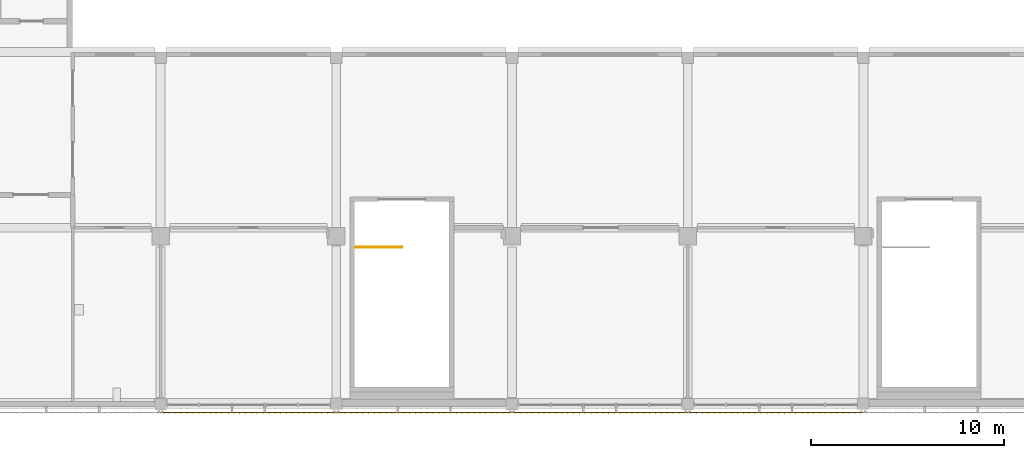
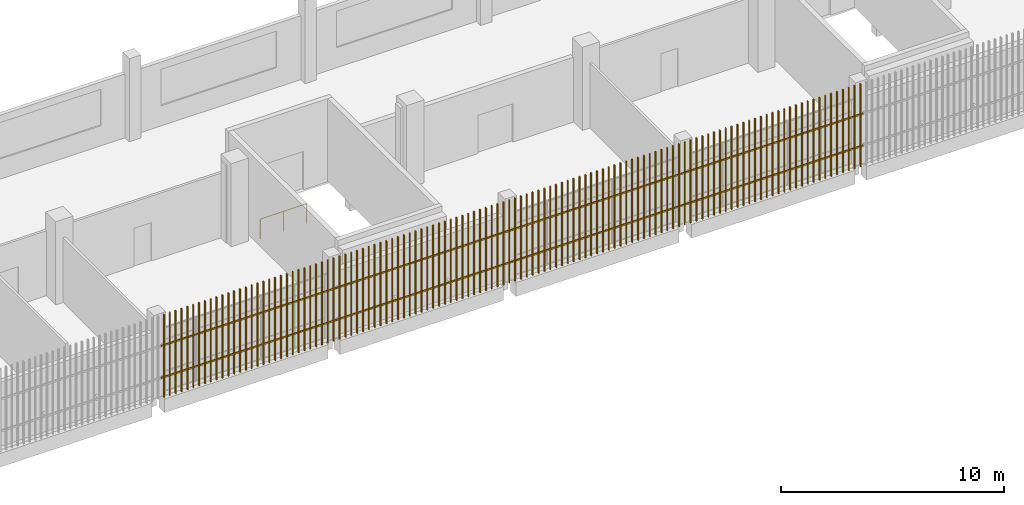
# One storey, part 90 of 104: 4 shading devices, 1 railing.
"""IFC4 building model written with IfcOpenShell, lengths in metres."""

import ifcopenshell
import ifcopenshell.guid

model = None  # the IFC model being written
_history = None  # IfcOwnerHistory: only IFC2X3 demands one
_inside = {}  # id of a spatial element -> (the spatial element, [elements in it])
_under = {}  # id of a project, library or spatial element -> (it, [spatial elements below it])
_declared = {}  # id of a project -> (the project, [libraries it declares])
_typed = {}  # id of a type object -> (the type object, [elements of that type])
_made_of = {}  # id of a material, layer set ... -> (it, [elements and type objects made of it])


def new_model(schema):
    """Start an empty IFC model of exactly this schema.

    Asked for "IFC4X3", IfcOpenShell would pick the latest addendum, in which some entities
    have other attributes; the version numbers below select the first issue.
    IFC2X3 requires an IfcOwnerHistory on every rooted entity: one is made here for all.
    """
    global model, _history
    if schema == "IFC4X3":
        model = ifcopenshell.file(schema_version=(4, 3, 0, 0))
    else:
        model = ifcopenshell.file(schema=schema)
    _inside.clear()
    _under.clear()
    _declared.clear()
    _typed.clear()
    _made_of.clear()
    _history = None
    if model.schema == "IFC2X3":
        org = make("IfcOrganization", Name="unknown")
        user = make(
            "IfcPersonAndOrganization",
            ThePerson=make("IfcPerson", FamilyName="unknown"),
            TheOrganization=org,
        )
        app = make(
            "IfcApplication",
            ApplicationDeveloper=org,
            Version="unknown",
            ApplicationFullName="unknown",
            ApplicationIdentifier="unknown",
        )
        _history = make(
            "IfcOwnerHistory",
            OwningUser=user,
            OwningApplication=app,
            ChangeAction="ADDED",
            CreationDate=0,
        )
    return model


def make(cls, **values):
    """One entity of the class cls with the attributes given. An attribute that is None is left unset."""
    return model.create_entity(
        cls, **{name: value for name, value in values.items() if value is not None}
    )


def rooted(cls, **values):
    """An entity with a GlobalId (a new one), such as an element, a storey or a relation."""
    return make(cls, GlobalId=ifcopenshell.guid.new(), OwnerHistory=_history, **values)


def si_unit(unit_type, name, prefix=None):
    """IfcSIUnit, for example si_unit("LENGTHUNIT", "METRE", prefix="MILLI")."""
    return make("IfcSIUnit", UnitType=unit_type, Prefix=prefix, Name=name)


def assignment(units):
    """IfcUnitAssignment: the units of a project."""
    return None if units is None else make("IfcUnitAssignment", Units=units)


def point(xyz):
    """IfcCartesianPoint."""
    return None if xyz is None else make("IfcCartesianPoint", Coordinates=xyz)


def direction(xyz):
    """IfcDirection."""
    return None if xyz is None else make("IfcDirection", DirectionRatios=xyz)


def frame(location, z_axis=None, x_axis=None):
    """IfcAxis2Placement3D, a coordinate frame: its origin and axes. An axis left out is left unset."""
    return make(
        "IfcAxis2Placement3D",
        Location=point(location),
        Axis=direction(z_axis),
        RefDirection=direction(x_axis),
    )


def frame_2d(location, x_axis=None):
    """IfcAxis2Placement2D, a coordinate frame in the plane: its origin and x axis."""
    return make(
        "IfcAxis2Placement2D", Location=point(location), RefDirection=direction(x_axis)
    )


def origin():
    """The frame at (0, 0, 0) with its axes left unset."""
    return frame((0.0, 0.0, 0.0))


def origin_2d():
    """The frame at (0, 0) in the plane with its x axis left unset."""
    return frame_2d((0.0, 0.0))


def place(relative_to, where):
    """IfcLocalPlacement: puts the frame where relative to a parent placement (None: the world)."""
    return make(
        "IfcLocalPlacement", PlacementRelTo=relative_to, RelativePlacement=where
    )


def context(
    kind, dimensions, precision=None, world=None, true_north=None, identifier=None
):
    """IfcGeometricRepresentationContext, for example the 3D "Model" context."""
    return make(
        "IfcGeometricRepresentationContext",
        ContextIdentifier=identifier,
        ContextType=kind,
        CoordinateSpaceDimension=dimensions,
        Precision=precision,
        WorldCoordinateSystem=world,
        TrueNorth=true_north,
    )


def subcontext(parent, identifier, kind, view, scale=None):
    """IfcGeometricRepresentationSubContext, for example "Body" below "Model"."""
    return make(
        "IfcGeometricRepresentationSubContext",
        ContextIdentifier=identifier,
        ContextType=kind,
        ParentContext=parent,
        TargetScale=scale,
        TargetView=view,
    )


def project(units=None, contexts=None):
    """IfcProject with its units and contexts."""
    return rooted(
        "IfcProject",
        Name="project",
        RepresentationContexts=contexts,
        UnitsInContext=assignment(units),
    )


def spatial(cls, under=None, at=None, **own):
    """A site, building, storey or space (cls), placed at a placement, below another one or the project."""
    s = rooted(cls, ObjectPlacement=at, **own)
    if under is not None:
        _under.setdefault(under.id(), (under, []))[1].append(s)
    return s


def profile(cls, at=None, kind="AREA", **sizes):
    """A parametric profile (cls). Its sizes go by their IFC names, for example OverallWidth=200.0."""
    return make(cls, ProfileType=kind, Position=at, **sizes)


def rectangle(**sizes):
    """IfcRectangleProfileDef."""
    return profile("IfcRectangleProfileDef", **sizes)


def circle(**sizes):
    """IfcCircleProfileDef."""
    return profile("IfcCircleProfileDef", **sizes)


def extrude(swept, where, along, depth):
    """IfcExtrudedAreaSolid: the profile swept, set in the frame where, extruded along a direction by depth."""
    return make(
        "IfcExtrudedAreaSolid",
        SweptArea=swept,
        Position=where,
        ExtrudedDirection=direction(along),
        Depth=depth,
    )


def shape(context_of_items, identifier, shape_type, items):
    """IfcShapeRepresentation: the items that make up one representation, for example the "Body"."""
    return make(
        "IfcShapeRepresentation",
        ContextOfItems=context_of_items,
        RepresentationIdentifier=identifier,
        RepresentationType=shape_type,
        Items=items,
    )


def material(Name=None, Category=None):
    """IfcMaterial."""
    return make("IfcMaterial", Name=Name, Category=Category)


def made_of(thing, what):
    """Note that an element or type object is made of a material, layer set ...; save() writes the relation."""
    if what is not None:
        _made_of.setdefault(what.id(), (what, []))[1].append(thing)
    return thing


def type_object(cls, material=None, **own):
    """A type object (cls), such as IfcWallType, which elements share."""
    return made_of(rooted(cls, **own), material)


def element(
    cls,
    number,
    at=None,
    inside=None,
    cuts=None,
    type_object=None,
    material=None,
    context=None,
    identifier="Body",
    shape_type=None,
    held_by="IfcProductDefinitionShape",
    body=None,
    shapes=None,
    **own,
):
    """One element of the class cls, such as IfcWall. Its Tag is "e" and its number.

    at: its placement. inside: the storey or other place that contains it. cuts: it is an
    opening in that element (IfcRelVoidsElement). A single representation is given by context,
    identifier, shape_type and body (its items); several are given by shapes. held_by: the class
    of the entity that holds the representations. save() writes the other relations.
    """
    e = rooted(cls, Tag="e%d" % number, ObjectPlacement=at, **own)
    if body is not None:
        shapes = [shape(context, identifier, shape_type, body)]
    if shapes is not None:
        e.Representation = make(held_by, Representations=shapes)
    if inside is not None:
        _inside.setdefault(inside.id(), (inside, []))[1].append(e)
    if cuts is not None:
        rooted(
            "IfcRelVoidsElement", RelatingBuildingElement=cuts, RelatedOpeningElement=e
        )
    if type_object is not None:
        _typed.setdefault(type_object.id(), (type_object, []))[1].append(e)
    return made_of(e, material)


def aggregate(whole, parts):
    """IfcRelAggregates: a whole, such as a stair, and the parts it consists of."""
    return rooted("IfcRelAggregates", RelatingObject=whole, RelatedObjects=parts)


def save(model, path):
    """Write the relations noted so far, then the file.

    IfcRelAggregates (storeys below a building ...), IfcRelContainedInSpatialStructure (elements
    in a storey), IfcRelDefinesByType, IfcRelAssociatesMaterial and IfcRelDeclares: one each for
    every whole, place, type object, material and project.
    """
    for whole, parts in _under.values():
        aggregate(whole, parts)
    for where, things in _inside.values():
        rooted(
            "IfcRelContainedInSpatialStructure",
            RelatedElements=things,
            RelatingStructure=where,
        )
    for kind, things in _typed.values():
        rooted("IfcRelDefinesByType", RelatedObjects=things, RelatingType=kind)
    for what, things in _made_of.values():
        rooted("IfcRelAssociatesMaterial", RelatedObjects=things, RelatingMaterial=what)
    for by, libraries in _declared.values():
        rooted("IfcRelDeclares", RelatingContext=by, RelatedDefinitions=libraries)
    model.write(path)


model = new_model("IFC4")

# Units and contexts
model_context = context("Model", 3, precision=1e-05, world=origin(), true_north=direction((0.0, 1.0)))
body_context = subcontext(model_context, "Body", "Model", "MODEL_VIEW")
ifc_project = project(units=[si_unit("LENGTHUNIT", "METRE"), si_unit("AREAUNIT", "SQUARE_METRE"), si_unit("VOLUMEUNIT", "CUBIC_METRE"), si_unit("PLANEANGLEUNIT", "RADIAN"), si_unit("MASSUNIT", "GRAM", prefix="KILO")], contexts=[model_context])

# Site, building, storey
site_placement = place(None, origin())
site = spatial("IfcSite", under=ifc_project, at=site_placement, CompositionType="ELEMENT")
building_placement = place(site_placement, origin())
building = spatial("IfcBuilding", under=site, at=building_placement, Name="Shirokan Park Arena", CompositionType="ELEMENT")
storey_placement = place(building_placement, frame((0.0, 0.0, 10.919921875)))
storey = spatial("IfcBuildingStorey", under=building, at=storey_placement, Name="L02", CompositionType="ELEMENT", Elevation=10.919921875)

# Railing
ifc_material_1 = material(Name="Stainless steel", Category="steel")
railing_type = type_object("IfcRailingType", Name="Stair well guard 1100", PredefinedType="GUARDRAIL", material=ifc_material_1)
railing_placement = place(storey_placement, frame((55.60009765625, 8.10009765625, 0.0)))
element("IfcRailing", 1, at=railing_placement, inside=storey, type_object=railing_type, Name="Guard Entrance Stair E1.1 L02", PredefinedType="GUARDRAIL", context=body_context, shape_type="SweptSolid", body=[
    extrude(circle(Radius=0.02490234375, at=origin_2d()), frame((0.0, 0.0, 1.0771484375), z_axis=(1.0, 0.0, 0.0), x_axis=(0.0, 1.0, 0.0)), (0.0, 0.0, 1.0), 2.39990234375),
    extrude(circle(Radius=0.02490234375, at=origin_2d()), origin(), (0.0, 0.0, 1.0), 1.052001953125),
    extrude(circle(Radius=0.02490234375, at=origin_2d()), frame((1.199951171875, 0.0, 0.0)), (0.0, 0.0, 1.0), 1.052001953125),
    extrude(circle(Radius=0.02490234375, at=origin_2d()), frame((2.39990234375, 0.0, 0.0)), (0.0, 0.0, 1.0), 1.052001953125),
])

# Shading devices
ifc_material_2 = material(Name="Timber louvre veil (cedar)", Category="wood")
shading_device_type = type_object("IfcShadingDeviceType", Name="Timber louvre veil panel", PredefinedType="JALOUSIE", material=ifc_material_2)
shading_device_1_placement = place(storey_placement, origin())
element("IfcShadingDevice", 2, at=shading_device_1_placement, inside=storey, type_object=shading_device_type, Name="Timber louvre veil south bay 6 L02", PredefinedType="JALOUSIE", context=body_context, shape_type="SweptSolid", body=[
    extrude(rectangle(XDim=0.050048828125, YDim=0.080078125, at=origin_2d()), frame((45.651611328125, -0.485107421875, 0.0), z_axis=(0.0, 0.0, 1.0), x_axis=(1.0, 0.0, 0.0)), (0.0, 0.0, 1.0), 4.550048828125),
    extrude(rectangle(XDim=0.050048828125, YDim=0.080078125, at=origin_2d()), frame((45.955078125, -0.485107421875, 0.0), z_axis=(0.0, 0.0, 1.0), x_axis=(1.0, 0.0, 0.0)), (0.0, 0.0, 1.0), 4.550048828125),
    extrude(rectangle(XDim=0.050048828125, YDim=0.080078125, at=origin_2d()), frame((46.25830078125, -0.485107421875, 0.0), z_axis=(0.0, 0.0, 1.0), x_axis=(1.0, 0.0, 0.0)), (0.0, 0.0, 1.0), 4.550048828125),
    extrude(rectangle(XDim=0.050048828125, YDim=0.080078125, at=origin_2d()), frame((46.561767578125, -0.485107421875, 0.0), z_axis=(0.0, 0.0, 1.0), x_axis=(1.0, 0.0, 0.0)), (0.0, 0.0, 1.0), 4.550048828125),
    extrude(rectangle(XDim=0.050048828125, YDim=0.080078125, at=origin_2d()), frame((46.864990234375, -0.485107421875, 0.0), z_axis=(0.0, 0.0, 1.0), x_axis=(1.0, 0.0, 0.0)), (0.0, 0.0, 1.0), 4.550048828125),
    extrude(rectangle(XDim=0.050048828125, YDim=0.080078125, at=origin_2d()), frame((47.168212890625, -0.485107421875, 0.0), z_axis=(0.0, 0.0, 1.0), x_axis=(1.0, 0.0, 0.0)), (0.0, 0.0, 1.0), 4.550048828125),
    extrude(rectangle(XDim=0.050048828125, YDim=0.080078125, at=origin_2d()), frame((47.4716796875, -0.485107421875, 0.0), z_axis=(0.0, 0.0, 1.0), x_axis=(1.0, 0.0, 0.0)), (0.0, 0.0, 1.0), 4.550048828125),
    extrude(rectangle(XDim=0.050048828125, YDim=0.080078125, at=origin_2d()), frame((47.77490234375, -0.485107421875, 0.0), z_axis=(0.0, 0.0, 1.0), x_axis=(1.0, 0.0, 0.0)), (0.0, 0.0, 1.0), 4.550048828125),
    extrude(rectangle(XDim=0.050048828125, YDim=0.080078125, at=origin_2d()), frame((48.078369140625, -0.485107421875, 0.0), z_axis=(0.0, 0.0, 1.0), x_axis=(1.0, 0.0, 0.0)), (0.0, 0.0, 1.0), 4.550048828125),
    extrude(rectangle(XDim=0.050048828125, YDim=0.080078125, at=origin_2d()), frame((48.381591796875, -0.485107421875, 0.0), z_axis=(0.0, 0.0, 1.0), x_axis=(1.0, 0.0, 0.0)), (0.0, 0.0, 1.0), 4.550048828125),
    extrude(rectangle(XDim=0.050048828125, YDim=0.080078125, at=origin_2d()), frame((48.68505859375, -0.485107421875, 0.0), z_axis=(0.0, 0.0, 1.0), x_axis=(1.0, 0.0, 0.0)), (0.0, 0.0, 1.0), 4.550048828125),
    extrude(rectangle(XDim=0.050048828125, YDim=0.080078125, at=origin_2d()), frame((48.98828125, -0.485107421875, 0.0), z_axis=(0.0, 0.0, 1.0), x_axis=(1.0, 0.0, 0.0)), (0.0, 0.0, 1.0), 4.550048828125),
    extrude(rectangle(XDim=0.050048828125, YDim=0.080078125, at=origin_2d()), frame((49.291748046875, -0.485107421875, 0.0), z_axis=(0.0, 0.0, 1.0), x_axis=(1.0, 0.0, 0.0)), (0.0, 0.0, 1.0), 4.550048828125),
    extrude(rectangle(XDim=0.050048828125, YDim=0.080078125, at=origin_2d()), frame((49.594970703125, -0.485107421875, 0.0), z_axis=(0.0, 0.0, 1.0), x_axis=(1.0, 0.0, 0.0)), (0.0, 0.0, 1.0), 4.550048828125),
    extrude(rectangle(XDim=0.050048828125, YDim=0.080078125, at=origin_2d()), frame((49.8984375, -0.485107421875, 0.0), z_axis=(0.0, 0.0, 1.0), x_axis=(1.0, 0.0, 0.0)), (0.0, 0.0, 1.0), 4.550048828125),
    extrude(rectangle(XDim=0.050048828125, YDim=0.080078125, at=origin_2d()), frame((50.20166015625, -0.485107421875, 0.0), z_axis=(0.0, 0.0, 1.0), x_axis=(1.0, 0.0, 0.0)), (0.0, 0.0, 1.0), 4.550048828125),
    extrude(rectangle(XDim=0.050048828125, YDim=0.080078125, at=origin_2d()), frame((50.5048828125, -0.485107421875, 0.0), z_axis=(0.0, 0.0, 1.0), x_axis=(1.0, 0.0, 0.0)), (0.0, 0.0, 1.0), 4.550048828125),
    extrude(rectangle(XDim=0.050048828125, YDim=0.080078125, at=origin_2d()), frame((50.808349609375, -0.485107421875, 0.0), z_axis=(0.0, 0.0, 1.0), x_axis=(1.0, 0.0, 0.0)), (0.0, 0.0, 1.0), 4.550048828125),
    extrude(rectangle(XDim=0.050048828125, YDim=0.080078125, at=origin_2d()), frame((51.111572265625, -0.485107421875, 0.0), z_axis=(0.0, 0.0, 1.0), x_axis=(1.0, 0.0, 0.0)), (0.0, 0.0, 1.0), 4.550048828125),
    extrude(rectangle(XDim=0.050048828125, YDim=0.080078125, at=origin_2d()), frame((51.4150390625, -0.485107421875, 0.0), z_axis=(0.0, 0.0, 1.0), x_axis=(1.0, 0.0, 0.0)), (0.0, 0.0, 1.0), 4.550048828125),
    extrude(rectangle(XDim=0.050048828125, YDim=0.080078125, at=origin_2d()), frame((51.71826171875, -0.485107421875, 0.0), z_axis=(0.0, 0.0, 1.0), x_axis=(1.0, 0.0, 0.0)), (0.0, 0.0, 1.0), 4.550048828125),
    extrude(rectangle(XDim=0.050048828125, YDim=0.080078125, at=origin_2d()), frame((52.021728515625, -0.485107421875, 0.0), z_axis=(0.0, 0.0, 1.0), x_axis=(1.0, 0.0, 0.0)), (0.0, 0.0, 1.0), 4.550048828125),
    extrude(rectangle(XDim=0.050048828125, YDim=0.080078125, at=origin_2d()), frame((52.324951171875, -0.485107421875, 0.0), z_axis=(0.0, 0.0, 1.0), x_axis=(1.0, 0.0, 0.0)), (0.0, 0.0, 1.0), 4.550048828125),
    extrude(rectangle(XDim=0.050048828125, YDim=0.080078125, at=origin_2d()), frame((52.62841796875, -0.485107421875, 0.0), z_axis=(0.0, 0.0, 1.0), x_axis=(1.0, 0.0, 0.0)), (0.0, 0.0, 1.0), 4.550048828125),
    extrude(rectangle(XDim=0.050048828125, YDim=0.080078125, at=origin_2d()), frame((52.931640625, -0.485107421875, 0.0), z_axis=(0.0, 0.0, 1.0), x_axis=(1.0, 0.0, 0.0)), (0.0, 0.0, 1.0), 4.550048828125),
    extrude(rectangle(XDim=0.050048828125, YDim=0.080078125, at=origin_2d()), frame((53.235107421875, -0.485107421875, 0.0), z_axis=(0.0, 0.0, 1.0), x_axis=(1.0, 0.0, 0.0)), (0.0, 0.0, 1.0), 4.550048828125),
    extrude(rectangle(XDim=0.050048828125, YDim=0.080078125, at=origin_2d()), frame((53.538330078125, -0.485107421875, 0.0), z_axis=(0.0, 0.0, 1.0), x_axis=(1.0, 0.0, 0.0)), (0.0, 0.0, 1.0), 4.550048828125),
    extrude(rectangle(XDim=0.050048828125, YDim=0.080078125, at=origin_2d()), frame((53.841552734375, -0.485107421875, 0.0), z_axis=(0.0, 0.0, 1.0), x_axis=(1.0, 0.0, 0.0)), (0.0, 0.0, 1.0), 4.550048828125),
    extrude(rectangle(XDim=0.050048828125, YDim=0.080078125, at=origin_2d()), frame((54.14501953125, -0.485107421875, 0.0), z_axis=(0.0, 0.0, 1.0), x_axis=(1.0, 0.0, 0.0)), (0.0, 0.0, 1.0), 4.550048828125),
    extrude(rectangle(XDim=0.050048828125, YDim=0.080078125, at=origin_2d()), frame((54.4482421875, -0.485107421875, 0.0), z_axis=(0.0, 0.0, 1.0), x_axis=(1.0, 0.0, 0.0)), (0.0, 0.0, 1.0), 4.550048828125),
    extrude(rectangle(XDim=9.10009765625, YDim=0.050048828125, at=origin_2d()), frame((50.050048828125, -0.469970703125, 1.06005859375), z_axis=(0.0, 0.0, 1.0), x_axis=(1.0, 0.0, 0.0)), (0.0, 0.0, 1.0), 0.080078125),
    extrude(rectangle(XDim=9.10009765625, YDim=0.050048828125, at=origin_2d()), frame((50.050048828125, -0.469970703125, 2.81005859375), z_axis=(0.0, 0.0, 1.0), x_axis=(1.0, 0.0, 0.0)), (0.0, 0.0, 1.0), 0.080078125),
])
shading_device_2_placement = place(storey_placement, origin())
element("IfcShadingDevice", 3, at=shading_device_2_placement, inside=storey, type_object=shading_device_type, Name="Timber louvre veil south bay 7 L02", PredefinedType="JALOUSIE", context=body_context, shape_type="SweptSolid", body=[
    extrude(rectangle(XDim=0.050048828125, YDim=0.080078125, at=origin_2d()), frame((54.751708984375, -0.485107421875, 0.0), z_axis=(0.0, 0.0, 1.0), x_axis=(1.0, 0.0, 0.0)), (0.0, 0.0, 1.0), 4.550048828125),
    extrude(rectangle(XDim=0.050048828125, YDim=0.080078125, at=origin_2d()), frame((55.054931640625, -0.485107421875, 0.0), z_axis=(0.0, 0.0, 1.0), x_axis=(1.0, 0.0, 0.0)), (0.0, 0.0, 1.0), 4.550048828125),
    extrude(rectangle(XDim=0.050048828125, YDim=0.080078125, at=origin_2d()), frame((55.3583984375, -0.485107421875, 0.0), z_axis=(0.0, 0.0, 1.0), x_axis=(1.0, 0.0, 0.0)), (0.0, 0.0, 1.0), 4.550048828125),
    extrude(rectangle(XDim=0.050048828125, YDim=0.080078125, at=origin_2d()), frame((55.66162109375, -0.485107421875, 0.0), z_axis=(0.0, 0.0, 1.0), x_axis=(1.0, 0.0, 0.0)), (0.0, 0.0, 1.0), 4.550048828125),
    extrude(rectangle(XDim=0.050048828125, YDim=0.080078125, at=origin_2d()), frame((55.965087890625, -0.485107421875, 0.0), z_axis=(0.0, 0.0, 1.0), x_axis=(1.0, 0.0, 0.0)), (0.0, 0.0, 1.0), 4.550048828125),
    extrude(rectangle(XDim=0.050048828125, YDim=0.080078125, at=origin_2d()), frame((56.268310546875, -0.485107421875, 0.0), z_axis=(0.0, 0.0, 1.0), x_axis=(1.0, 0.0, 0.0)), (0.0, 0.0, 1.0), 4.550048828125),
    extrude(rectangle(XDim=0.050048828125, YDim=0.080078125, at=origin_2d()), frame((56.57177734375, -0.485107421875, 0.0), z_axis=(0.0, 0.0, 1.0), x_axis=(1.0, 0.0, 0.0)), (0.0, 0.0, 1.0), 4.550048828125),
    extrude(rectangle(XDim=0.050048828125, YDim=0.080078125, at=origin_2d()), frame((56.875, -0.485107421875, 0.0), z_axis=(0.0, 0.0, 1.0), x_axis=(1.0, 0.0, 0.0)), (0.0, 0.0, 1.0), 4.550048828125),
    extrude(rectangle(XDim=0.050048828125, YDim=0.080078125, at=origin_2d()), frame((57.17822265625, -0.485107421875, 0.0), z_axis=(0.0, 0.0, 1.0), x_axis=(1.0, 0.0, 0.0)), (0.0, 0.0, 1.0), 4.550048828125),
    extrude(rectangle(XDim=0.050048828125, YDim=0.080078125, at=origin_2d()), frame((57.481689453125, -0.485107421875, 0.0), z_axis=(0.0, 0.0, 1.0), x_axis=(1.0, 0.0, 0.0)), (0.0, 0.0, 1.0), 4.550048828125),
    extrude(rectangle(XDim=0.050048828125, YDim=0.080078125, at=origin_2d()), frame((57.784912109375, -0.485107421875, 0.0), z_axis=(0.0, 0.0, 1.0), x_axis=(1.0, 0.0, 0.0)), (0.0, 0.0, 1.0), 4.550048828125),
    extrude(rectangle(XDim=0.050048828125, YDim=0.080078125, at=origin_2d()), frame((58.08837890625, -0.485107421875, 0.0), z_axis=(0.0, 0.0, 1.0), x_axis=(1.0, 0.0, 0.0)), (0.0, 0.0, 1.0), 4.550048828125),
    extrude(rectangle(XDim=0.050048828125, YDim=0.080078125, at=origin_2d()), frame((58.3916015625, -0.485107421875, 0.0), z_axis=(0.0, 0.0, 1.0), x_axis=(1.0, 0.0, 0.0)), (0.0, 0.0, 1.0), 4.550048828125),
    extrude(rectangle(XDim=0.050048828125, YDim=0.080078125, at=origin_2d()), frame((58.695068359375, -0.485107421875, 0.0), z_axis=(0.0, 0.0, 1.0), x_axis=(1.0, 0.0, 0.0)), (0.0, 0.0, 1.0), 4.550048828125),
    extrude(rectangle(XDim=0.050048828125, YDim=0.080078125, at=origin_2d()), frame((58.998291015625, -0.485107421875, 0.0), z_axis=(0.0, 0.0, 1.0), x_axis=(1.0, 0.0, 0.0)), (0.0, 0.0, 1.0), 4.550048828125),
    extrude(rectangle(XDim=0.050048828125, YDim=0.080078125, at=origin_2d()), frame((59.3017578125, -0.485107421875, 0.0), z_axis=(0.0, 0.0, 1.0), x_axis=(1.0, 0.0, 0.0)), (0.0, 0.0, 1.0), 4.550048828125),
    extrude(rectangle(XDim=0.050048828125, YDim=0.080078125, at=origin_2d()), frame((59.60498046875, -0.485107421875, 0.0), z_axis=(0.0, 0.0, 1.0), x_axis=(1.0, 0.0, 0.0)), (0.0, 0.0, 1.0), 4.550048828125),
    extrude(rectangle(XDim=0.050048828125, YDim=0.080078125, at=origin_2d()), frame((59.908447265625, -0.485107421875, 0.0), z_axis=(0.0, 0.0, 1.0), x_axis=(1.0, 0.0, 0.0)), (0.0, 0.0, 1.0), 4.550048828125),
    extrude(rectangle(XDim=0.050048828125, YDim=0.080078125, at=origin_2d()), frame((60.211669921875, -0.485107421875, 0.0), z_axis=(0.0, 0.0, 1.0), x_axis=(1.0, 0.0, 0.0)), (0.0, 0.0, 1.0), 4.550048828125),
    extrude(rectangle(XDim=0.050048828125, YDim=0.080078125, at=origin_2d()), frame((60.514892578125, -0.485107421875, 0.0), z_axis=(0.0, 0.0, 1.0), x_axis=(1.0, 0.0, 0.0)), (0.0, 0.0, 1.0), 4.550048828125),
    extrude(rectangle(XDim=0.050048828125, YDim=0.080078125, at=origin_2d()), frame((60.818359375, -0.485107421875, 0.0), z_axis=(0.0, 0.0, 1.0), x_axis=(1.0, 0.0, 0.0)), (0.0, 0.0, 1.0), 4.550048828125),
    extrude(rectangle(XDim=0.050048828125, YDim=0.080078125, at=origin_2d()), frame((61.12158203125, -0.485107421875, 0.0), z_axis=(0.0, 0.0, 1.0), x_axis=(1.0, 0.0, 0.0)), (0.0, 0.0, 1.0), 4.550048828125),
    extrude(rectangle(XDim=0.050048828125, YDim=0.080078125, at=origin_2d()), frame((61.425048828125, -0.485107421875, 0.0), z_axis=(0.0, 0.0, 1.0), x_axis=(1.0, 0.0, 0.0)), (0.0, 0.0, 1.0), 4.550048828125),
    extrude(rectangle(XDim=0.050048828125, YDim=0.080078125, at=origin_2d()), frame((61.728271484375, -0.485107421875, 0.0), z_axis=(0.0, 0.0, 1.0), x_axis=(1.0, 0.0, 0.0)), (0.0, 0.0, 1.0), 4.550048828125),
    extrude(rectangle(XDim=0.050048828125, YDim=0.080078125, at=origin_2d()), frame((62.03173828125, -0.485107421875, 0.0), z_axis=(0.0, 0.0, 1.0), x_axis=(1.0, 0.0, 0.0)), (0.0, 0.0, 1.0), 4.550048828125),
    extrude(rectangle(XDim=0.050048828125, YDim=0.080078125, at=origin_2d()), frame((62.3349609375, -0.485107421875, 0.0), z_axis=(0.0, 0.0, 1.0), x_axis=(1.0, 0.0, 0.0)), (0.0, 0.0, 1.0), 4.550048828125),
    extrude(rectangle(XDim=0.050048828125, YDim=0.080078125, at=origin_2d()), frame((62.638427734375, -0.485107421875, 0.0), z_axis=(0.0, 0.0, 1.0), x_axis=(1.0, 0.0, 0.0)), (0.0, 0.0, 1.0), 4.550048828125),
    extrude(rectangle(XDim=0.050048828125, YDim=0.080078125, at=origin_2d()), frame((62.941650390625, -0.485107421875, 0.0), z_axis=(0.0, 0.0, 1.0), x_axis=(1.0, 0.0, 0.0)), (0.0, 0.0, 1.0), 4.550048828125),
    extrude(rectangle(XDim=0.050048828125, YDim=0.080078125, at=origin_2d()), frame((63.2451171875, -0.485107421875, 0.0), z_axis=(0.0, 0.0, 1.0), x_axis=(1.0, 0.0, 0.0)), (0.0, 0.0, 1.0), 4.550048828125),
    extrude(rectangle(XDim=0.050048828125, YDim=0.080078125, at=origin_2d()), frame((63.54833984375, -0.485107421875, 0.0), z_axis=(0.0, 0.0, 1.0), x_axis=(1.0, 0.0, 0.0)), (0.0, 0.0, 1.0), 4.550048828125),
    extrude(rectangle(XDim=9.10009765625, YDim=0.050048828125, at=origin_2d()), frame((59.14990234375, -0.469970703125, 1.06005859375), z_axis=(0.0, 0.0, 1.0), x_axis=(1.0, 0.0, 0.0)), (0.0, 0.0, 1.0), 0.080078125),
    extrude(rectangle(XDim=9.10009765625, YDim=0.050048828125, at=origin_2d()), frame((59.14990234375, -0.469970703125, 2.81005859375), z_axis=(0.0, 0.0, 1.0), x_axis=(1.0, 0.0, 0.0)), (0.0, 0.0, 1.0), 0.080078125),
])
shading_device_3_placement = place(storey_placement, origin())
element("IfcShadingDevice", 4, at=shading_device_3_placement, inside=storey, type_object=shading_device_type, Name="Timber louvre veil south bay 8 L02", PredefinedType="JALOUSIE", context=body_context, shape_type="SweptSolid", body=[
    extrude(rectangle(XDim=0.050048828125, YDim=0.080078125, at=origin_2d()), frame((63.8515625, -0.485107421875, 0.0), z_axis=(0.0, 0.0, 1.0), x_axis=(1.0, 0.0, 0.0)), (0.0, 0.0, 1.0), 4.550048828125),
    extrude(rectangle(XDim=0.050048828125, YDim=0.080078125, at=origin_2d()), frame((64.155029296875, -0.485107421875, 0.0), z_axis=(0.0, 0.0, 1.0), x_axis=(1.0, 0.0, 0.0)), (0.0, 0.0, 1.0), 4.550048828125),
    extrude(rectangle(XDim=0.050048828125, YDim=0.080078125, at=origin_2d()), frame((64.458251953125, -0.485107421875, 0.0), z_axis=(0.0, 0.0, 1.0), x_axis=(1.0, 0.0, 0.0)), (0.0, 0.0, 1.0), 4.550048828125),
    extrude(rectangle(XDim=0.050048828125, YDim=0.080078125, at=origin_2d()), frame((64.76171875, -0.485107421875, 0.0), z_axis=(0.0, 0.0, 1.0), x_axis=(1.0, 0.0, 0.0)), (0.0, 0.0, 1.0), 4.550048828125),
    extrude(rectangle(XDim=0.050048828125, YDim=0.080078125, at=origin_2d()), frame((65.06494140625, -0.485107421875, 0.0), z_axis=(0.0, 0.0, 1.0), x_axis=(1.0, 0.0, 0.0)), (0.0, 0.0, 1.0), 4.550048828125),
    extrude(rectangle(XDim=0.050048828125, YDim=0.080078125, at=origin_2d()), frame((65.368408203125, -0.485107421875, 0.0), z_axis=(0.0, 0.0, 1.0), x_axis=(1.0, 0.0, 0.0)), (0.0, 0.0, 1.0), 4.550048828125),
    extrude(rectangle(XDim=0.050048828125, YDim=0.080078125, at=origin_2d()), frame((65.671630859375, -0.485107421875, 0.0), z_axis=(0.0, 0.0, 1.0), x_axis=(1.0, 0.0, 0.0)), (0.0, 0.0, 1.0), 4.550048828125),
    extrude(rectangle(XDim=0.050048828125, YDim=0.080078125, at=origin_2d()), frame((65.97509765625, -0.485107421875, 0.0), z_axis=(0.0, 0.0, 1.0), x_axis=(1.0, 0.0, 0.0)), (0.0, 0.0, 1.0), 4.550048828125),
    extrude(rectangle(XDim=0.050048828125, YDim=0.080078125, at=origin_2d()), frame((66.2783203125, -0.485107421875, 0.0), z_axis=(0.0, 0.0, 1.0), x_axis=(1.0, 0.0, 0.0)), (0.0, 0.0, 1.0), 4.550048828125),
    extrude(rectangle(XDim=0.050048828125, YDim=0.080078125, at=origin_2d()), frame((66.581787109375, -0.485107421875, 0.0), z_axis=(0.0, 0.0, 1.0), x_axis=(1.0, 0.0, 0.0)), (0.0, 0.0, 1.0), 4.550048828125),
    extrude(rectangle(XDim=0.050048828125, YDim=0.080078125, at=origin_2d()), frame((66.885009765625, -0.485107421875, 0.0), z_axis=(0.0, 0.0, 1.0), x_axis=(1.0, 0.0, 0.0)), (0.0, 0.0, 1.0), 4.550048828125),
    extrude(rectangle(XDim=0.050048828125, YDim=0.080078125, at=origin_2d()), frame((67.188232421875, -0.485107421875, 0.0), z_axis=(0.0, 0.0, 1.0), x_axis=(1.0, 0.0, 0.0)), (0.0, 0.0, 1.0), 4.550048828125),
    extrude(rectangle(XDim=0.050048828125, YDim=0.080078125, at=origin_2d()), frame((67.49169921875, -0.485107421875, 0.0), z_axis=(0.0, 0.0, 1.0), x_axis=(1.0, 0.0, 0.0)), (0.0, 0.0, 1.0), 4.550048828125),
    extrude(rectangle(XDim=0.050048828125, YDim=0.080078125, at=origin_2d()), frame((67.794921875, -0.485107421875, 0.0), z_axis=(0.0, 0.0, 1.0), x_axis=(1.0, 0.0, 0.0)), (0.0, 0.0, 1.0), 4.550048828125),
    extrude(rectangle(XDim=0.050048828125, YDim=0.080078125, at=origin_2d()), frame((68.098388671875, -0.485107421875, 0.0), z_axis=(0.0, 0.0, 1.0), x_axis=(1.0, 0.0, 0.0)), (0.0, 0.0, 1.0), 4.550048828125),
    extrude(rectangle(XDim=0.050048828125, YDim=0.080078125, at=origin_2d()), frame((68.401611328125, -0.485107421875, 0.0), z_axis=(0.0, 0.0, 1.0), x_axis=(1.0, 0.0, 0.0)), (0.0, 0.0, 1.0), 4.550048828125),
    extrude(rectangle(XDim=0.050048828125, YDim=0.080078125, at=origin_2d()), frame((68.705078125, -0.485107421875, 0.0), z_axis=(0.0, 0.0, 1.0), x_axis=(1.0, 0.0, 0.0)), (0.0, 0.0, 1.0), 4.550048828125),
    extrude(rectangle(XDim=0.050048828125, YDim=0.080078125, at=origin_2d()), frame((69.00830078125, -0.485107421875, 0.0), z_axis=(0.0, 0.0, 1.0), x_axis=(1.0, 0.0, 0.0)), (0.0, 0.0, 1.0), 4.550048828125),
    extrude(rectangle(XDim=0.050048828125, YDim=0.080078125, at=origin_2d()), frame((69.311767578125, -0.485107421875, 0.0), z_axis=(0.0, 0.0, 1.0), x_axis=(1.0, 0.0, 0.0)), (0.0, 0.0, 1.0), 4.550048828125),
    extrude(rectangle(XDim=0.050048828125, YDim=0.080078125, at=origin_2d()), frame((69.614990234375, -0.485107421875, 0.0), z_axis=(0.0, 0.0, 1.0), x_axis=(1.0, 0.0, 0.0)), (0.0, 0.0, 1.0), 4.550048828125),
    extrude(rectangle(XDim=0.050048828125, YDim=0.080078125, at=origin_2d()), frame((69.918212890625, -0.485107421875, 0.0), z_axis=(0.0, 0.0, 1.0), x_axis=(1.0, 0.0, 0.0)), (0.0, 0.0, 1.0), 4.550048828125),
    extrude(rectangle(XDim=0.050048828125, YDim=0.080078125, at=origin_2d()), frame((70.2216796875, -0.485107421875, 0.0), z_axis=(0.0, 0.0, 1.0), x_axis=(1.0, 0.0, 0.0)), (0.0, 0.0, 1.0), 4.550048828125),
    extrude(rectangle(XDim=0.050048828125, YDim=0.080078125, at=origin_2d()), frame((70.52490234375, -0.485107421875, 0.0), z_axis=(0.0, 0.0, 1.0), x_axis=(1.0, 0.0, 0.0)), (0.0, 0.0, 1.0), 4.550048828125),
    extrude(rectangle(XDim=0.050048828125, YDim=0.080078125, at=origin_2d()), frame((70.828369140625, -0.485107421875, 0.0), z_axis=(0.0, 0.0, 1.0), x_axis=(1.0, 0.0, 0.0)), (0.0, 0.0, 1.0), 4.550048828125),
    extrude(rectangle(XDim=0.050048828125, YDim=0.080078125, at=origin_2d()), frame((71.131591796875, -0.485107421875, 0.0), z_axis=(0.0, 0.0, 1.0), x_axis=(1.0, 0.0, 0.0)), (0.0, 0.0, 1.0), 4.550048828125),
    extrude(rectangle(XDim=0.050048828125, YDim=0.080078125, at=origin_2d()), frame((71.43505859375, -0.485107421875, 0.0), z_axis=(0.0, 0.0, 1.0), x_axis=(1.0, 0.0, 0.0)), (0.0, 0.0, 1.0), 4.550048828125),
    extrude(rectangle(XDim=0.050048828125, YDim=0.080078125, at=origin_2d()), frame((71.73828125, -0.485107421875, 0.0), z_axis=(0.0, 0.0, 1.0), x_axis=(1.0, 0.0, 0.0)), (0.0, 0.0, 1.0), 4.550048828125),
    extrude(rectangle(XDim=0.050048828125, YDim=0.080078125, at=origin_2d()), frame((72.041748046875, -0.485107421875, 0.0), z_axis=(0.0, 0.0, 1.0), x_axis=(1.0, 0.0, 0.0)), (0.0, 0.0, 1.0), 4.550048828125),
    extrude(rectangle(XDim=0.050048828125, YDim=0.080078125, at=origin_2d()), frame((72.344970703125, -0.485107421875, 0.0), z_axis=(0.0, 0.0, 1.0), x_axis=(1.0, 0.0, 0.0)), (0.0, 0.0, 1.0), 4.550048828125),
    extrude(rectangle(XDim=0.050048828125, YDim=0.080078125, at=origin_2d()), frame((72.6484375, -0.485107421875, 0.0), z_axis=(0.0, 0.0, 1.0), x_axis=(1.0, 0.0, 0.0)), (0.0, 0.0, 1.0), 4.550048828125),
    extrude(rectangle(XDim=9.10009765625, YDim=0.050048828125, at=origin_2d()), frame((68.25, -0.469970703125, 1.06005859375), z_axis=(0.0, 0.0, 1.0), x_axis=(1.0, 0.0, 0.0)), (0.0, 0.0, 1.0), 0.080078125),
    extrude(rectangle(XDim=9.10009765625, YDim=0.050048828125, at=origin_2d()), frame((68.25, -0.469970703125, 2.81005859375), z_axis=(0.0, 0.0, 1.0), x_axis=(1.0, 0.0, 0.0)), (0.0, 0.0, 1.0), 0.080078125),
])
shading_device_4_placement = place(storey_placement, origin())
element("IfcShadingDevice", 5, at=shading_device_4_placement, inside=storey, type_object=shading_device_type, Name="Timber louvre veil south bay 9 L02", PredefinedType="JALOUSIE", context=body_context, shape_type="SweptSolid", body=[
    extrude(rectangle(XDim=0.050048828125, YDim=0.080078125, at=origin_2d()), frame((72.95166015625, -0.485107421875, 0.0), z_axis=(0.0, 0.0, 1.0), x_axis=(1.0, 0.0, 0.0)), (0.0, 0.0, 1.0), 4.550048828125),
    extrude(rectangle(XDim=0.050048828125, YDim=0.080078125, at=origin_2d()), frame((73.2548828125, -0.485107421875, 0.0), z_axis=(0.0, 0.0, 1.0), x_axis=(1.0, 0.0, 0.0)), (0.0, 0.0, 1.0), 4.550048828125),
    extrude(rectangle(XDim=0.050048828125, YDim=0.080078125, at=origin_2d()), frame((73.558349609375, -0.485107421875, 0.0), z_axis=(0.0, 0.0, 1.0), x_axis=(1.0, 0.0, 0.0)), (0.0, 0.0, 1.0), 4.550048828125),
    extrude(rectangle(XDim=0.050048828125, YDim=0.080078125, at=origin_2d()), frame((73.861572265625, -0.485107421875, 0.0), z_axis=(0.0, 0.0, 1.0), x_axis=(1.0, 0.0, 0.0)), (0.0, 0.0, 1.0), 4.550048828125),
    extrude(rectangle(XDim=0.050048828125, YDim=0.080078125, at=origin_2d()), frame((74.1650390625, -0.485107421875, 0.0), z_axis=(0.0, 0.0, 1.0), x_axis=(1.0, 0.0, 0.0)), (0.0, 0.0, 1.0), 4.550048828125),
    extrude(rectangle(XDim=0.050048828125, YDim=0.080078125, at=origin_2d()), frame((74.46826171875, -0.485107421875, 0.0), z_axis=(0.0, 0.0, 1.0), x_axis=(1.0, 0.0, 0.0)), (0.0, 0.0, 1.0), 4.550048828125),
    extrude(rectangle(XDim=0.050048828125, YDim=0.080078125, at=origin_2d()), frame((74.771728515625, -0.485107421875, 0.0), z_axis=(0.0, 0.0, 1.0), x_axis=(1.0, 0.0, 0.0)), (0.0, 0.0, 1.0), 4.550048828125),
    extrude(rectangle(XDim=0.050048828125, YDim=0.080078125, at=origin_2d()), frame((75.074951171875, -0.485107421875, 0.0), z_axis=(0.0, 0.0, 1.0), x_axis=(1.0, 0.0, 0.0)), (0.0, 0.0, 1.0), 4.550048828125),
    extrude(rectangle(XDim=0.050048828125, YDim=0.080078125, at=origin_2d()), frame((75.37841796875, -0.485107421875, 0.0), z_axis=(0.0, 0.0, 1.0), x_axis=(1.0, 0.0, 0.0)), (0.0, 0.0, 1.0), 4.550048828125),
    extrude(rectangle(XDim=0.050048828125, YDim=0.080078125, at=origin_2d()), frame((75.681640625, -0.485107421875, 0.0), z_axis=(0.0, 0.0, 1.0), x_axis=(1.0, 0.0, 0.0)), (0.0, 0.0, 1.0), 4.550048828125),
    extrude(rectangle(XDim=0.050048828125, YDim=0.080078125, at=origin_2d()), frame((75.985107421875, -0.485107421875, 0.0), z_axis=(0.0, 0.0, 1.0), x_axis=(1.0, 0.0, 0.0)), (0.0, 0.0, 1.0), 4.550048828125),
    extrude(rectangle(XDim=0.050048828125, YDim=0.080078125, at=origin_2d()), frame((76.288330078125, -0.485107421875, 0.0), z_axis=(0.0, 0.0, 1.0), x_axis=(1.0, 0.0, 0.0)), (0.0, 0.0, 1.0), 4.550048828125),
    extrude(rectangle(XDim=0.050048828125, YDim=0.080078125, at=origin_2d()), frame((76.591552734375, -0.485107421875, 0.0), z_axis=(0.0, 0.0, 1.0), x_axis=(1.0, 0.0, 0.0)), (0.0, 0.0, 1.0), 4.550048828125),
    extrude(rectangle(XDim=0.050048828125, YDim=0.080078125, at=origin_2d()), frame((76.89501953125, -0.485107421875, 0.0), z_axis=(0.0, 0.0, 1.0), x_axis=(1.0, 0.0, 0.0)), (0.0, 0.0, 1.0), 4.550048828125),
    extrude(rectangle(XDim=0.050048828125, YDim=0.080078125, at=origin_2d()), frame((77.1982421875, -0.485107421875, 0.0), z_axis=(0.0, 0.0, 1.0), x_axis=(1.0, 0.0, 0.0)), (0.0, 0.0, 1.0), 4.550048828125),
    extrude(rectangle(XDim=0.050048828125, YDim=0.080078125, at=origin_2d()), frame((77.501708984375, -0.485107421875, 0.0), z_axis=(0.0, 0.0, 1.0), x_axis=(1.0, 0.0, 0.0)), (0.0, 0.0, 1.0), 4.550048828125),
    extrude(rectangle(XDim=0.050048828125, YDim=0.080078125, at=origin_2d()), frame((77.804931640625, -0.485107421875, 0.0), z_axis=(0.0, 0.0, 1.0), x_axis=(1.0, 0.0, 0.0)), (0.0, 0.0, 1.0), 4.550048828125),
    extrude(rectangle(XDim=0.050048828125, YDim=0.080078125, at=origin_2d()), frame((78.1083984375, -0.485107421875, 0.0), z_axis=(0.0, 0.0, 1.0), x_axis=(1.0, 0.0, 0.0)), (0.0, 0.0, 1.0), 4.550048828125),
    extrude(rectangle(XDim=0.050048828125, YDim=0.080078125, at=origin_2d()), frame((78.41162109375, -0.485107421875, 0.0), z_axis=(0.0, 0.0, 1.0), x_axis=(1.0, 0.0, 0.0)), (0.0, 0.0, 1.0), 4.550048828125),
    extrude(rectangle(XDim=0.050048828125, YDim=0.080078125, at=origin_2d()), frame((78.715087890625, -0.485107421875, 0.0), z_axis=(0.0, 0.0, 1.0), x_axis=(1.0, 0.0, 0.0)), (0.0, 0.0, 1.0), 4.550048828125),
    extrude(rectangle(XDim=0.050048828125, YDim=0.080078125, at=origin_2d()), frame((79.018310546875, -0.485107421875, 0.0), z_axis=(0.0, 0.0, 1.0), x_axis=(1.0, 0.0, 0.0)), (0.0, 0.0, 1.0), 4.550048828125),
    extrude(rectangle(XDim=0.050048828125, YDim=0.080078125, at=origin_2d()), frame((79.32177734375, -0.485107421875, 0.0), z_axis=(0.0, 0.0, 1.0), x_axis=(1.0, 0.0, 0.0)), (0.0, 0.0, 1.0), 4.550048828125),
    extrude(rectangle(XDim=0.050048828125, YDim=0.080078125, at=origin_2d()), frame((79.625, -0.485107421875, 0.0), z_axis=(0.0, 0.0, 1.0), x_axis=(1.0, 0.0, 0.0)), (0.0, 0.0, 1.0), 4.550048828125),
    extrude(rectangle(XDim=0.050048828125, YDim=0.080078125, at=origin_2d()), frame((79.92822265625, -0.485107421875, 0.0), z_axis=(0.0, 0.0, 1.0), x_axis=(1.0, 0.0, 0.0)), (0.0, 0.0, 1.0), 4.550048828125),
    extrude(rectangle(XDim=0.050048828125, YDim=0.080078125, at=origin_2d()), frame((80.231689453125, -0.485107421875, 0.0), z_axis=(0.0, 0.0, 1.0), x_axis=(1.0, 0.0, 0.0)), (0.0, 0.0, 1.0), 4.550048828125),
    extrude(rectangle(XDim=0.050048828125, YDim=0.080078125, at=origin_2d()), frame((80.534912109375, -0.485107421875, 0.0), z_axis=(0.0, 0.0, 1.0), x_axis=(1.0, 0.0, 0.0)), (0.0, 0.0, 1.0), 4.550048828125),
    extrude(rectangle(XDim=0.050048828125, YDim=0.080078125, at=origin_2d()), frame((80.83837890625, -0.485107421875, 0.0), z_axis=(0.0, 0.0, 1.0), x_axis=(1.0, 0.0, 0.0)), (0.0, 0.0, 1.0), 4.550048828125),
    extrude(rectangle(XDim=0.050048828125, YDim=0.080078125, at=origin_2d()), frame((81.1416015625, -0.485107421875, 0.0), z_axis=(0.0, 0.0, 1.0), x_axis=(1.0, 0.0, 0.0)), (0.0, 0.0, 1.0), 4.550048828125),
    extrude(rectangle(XDim=0.050048828125, YDim=0.080078125, at=origin_2d()), frame((81.445068359375, -0.485107421875, 0.0), z_axis=(0.0, 0.0, 1.0), x_axis=(1.0, 0.0, 0.0)), (0.0, 0.0, 1.0), 4.550048828125),
    extrude(rectangle(XDim=0.050048828125, YDim=0.080078125, at=origin_2d()), frame((81.748291015625, -0.485107421875, 0.0), z_axis=(0.0, 0.0, 1.0), x_axis=(1.0, 0.0, 0.0)), (0.0, 0.0, 1.0), 4.550048828125),
    extrude(rectangle(XDim=9.10009765625, YDim=0.050048828125, at=origin_2d()), frame((77.35009765625, -0.469970703125, 1.06005859375), z_axis=(0.0, 0.0, 1.0), x_axis=(1.0, 0.0, 0.0)), (0.0, 0.0, 1.0), 0.080078125),
    extrude(rectangle(XDim=9.10009765625, YDim=0.050048828125, at=origin_2d()), frame((77.35009765625, -0.469970703125, 2.81005859375), z_axis=(0.0, 0.0, 1.0), x_axis=(1.0, 0.0, 0.0)), (0.0, 0.0, 1.0), 0.080078125),
])

save(model, "model.ifc")
